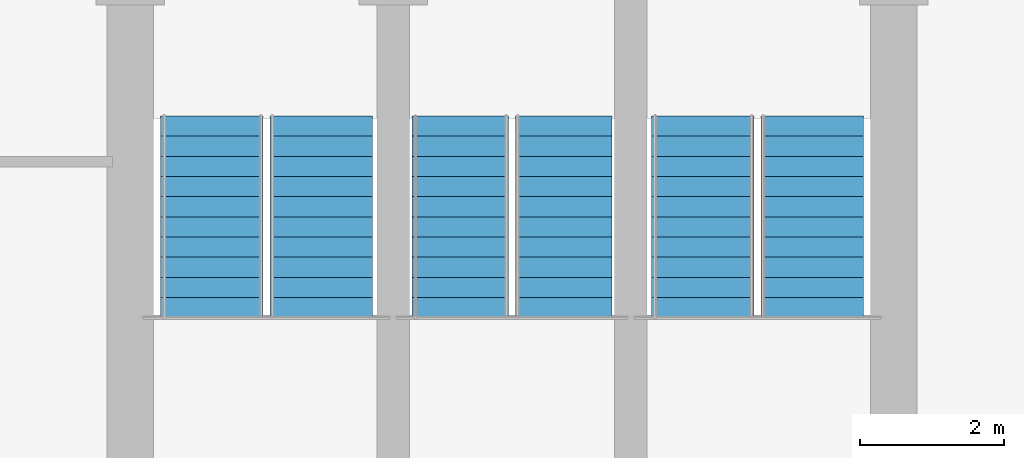
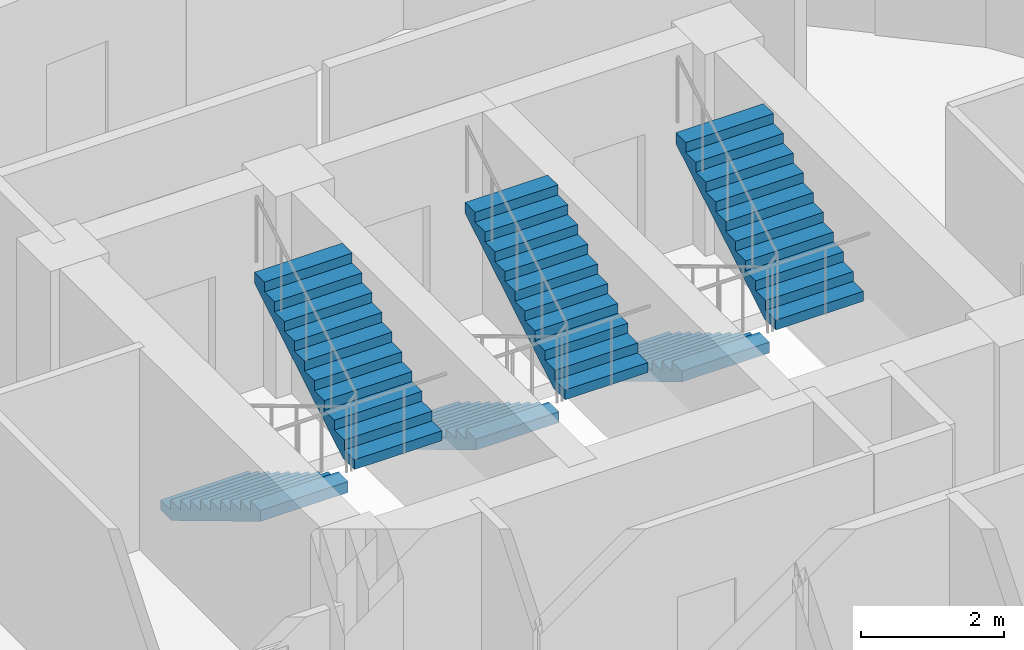
# One storey, part 25 of 27: 6 stair flights, 3 elements without a shape of their own.
"""IFC4 building model written with IfcOpenShell, lengths in metres."""

from ifc_helpers import new_model, si_unit, direction, frame, origin, place, context, subcontext, project, spatial, polyline, outline, extrude, material, type_object, element, aggregate, save


model = new_model("IFC4")

# Units and contexts
model_context = context("Model", 3, precision=1e-05, world=origin(), true_north=direction((0.0, 1.0)))
body_context = subcontext(model_context, "Body", "Model", "MODEL_VIEW")
ifc_project = project(units=[si_unit("LENGTHUNIT", "METRE"), si_unit("AREAUNIT", "SQUARE_METRE"), si_unit("VOLUMEUNIT", "CUBIC_METRE"), si_unit("PLANEANGLEUNIT", "RADIAN"), si_unit("MASSUNIT", "GRAM", prefix="KILO")], contexts=[model_context])

# Site, building, storey
site_placement = place(None, origin())
site = spatial("IfcSite", under=ifc_project, at=site_placement, CompositionType="ELEMENT")
building_placement = place(site_placement, origin())
building = spatial("IfcBuilding", under=site, at=building_placement, Name="Nuhasar Tower", CompositionType="ELEMENT")
storey_placement = place(building_placement, frame((0.0, 0.0, 158.949951171875)))
storey = spatial("IfcBuildingStorey", under=building, at=storey_placement, Name="L38", CompositionType="ELEMENT", Elevation=158.949951171875)

# Stair, stair flights
ifc_material = material(Name="Concrete C45/55", Category="concrete")
stair_type_1 = type_object("IfcStairType", Name="STR-ST-01-2F-22R-1682", PredefinedType="HALF_TURN_STAIR", material=ifc_material)
stair_1_placement = place(storey_placement, origin())
stair_1 = element("IfcStair", 1, at=stair_1_placement, inside=storey, type_object=stair_type_1, Name="L38 Exit Stair ST-01", PredefinedType="HALF_TURN_STAIR")
stair_flight_type_1 = type_object("IfcStairFlightType", Name="SFL-ST-01-11R-1682", PredefinedType="STRAIGHT", material=ifc_material)
stair_flight_1_placement = place(storey_placement, frame((34.830078125, 35.284912109375, 0.0), z_axis=(0.0, 0.0, 1.0), x_axis=(0.0, -1.0, 0.0)))
stair_flight_1 = element("IfcStairFlight", 2, at=stair_flight_1_placement, type_object=stair_flight_type_1, Name="ST-01 flight 1", NumberOfRisers=11, NumberOfTreads=10, PredefinedType="STRAIGHT", RiserHeight=0.168182, TreadLength=0.28, context=body_context, shape_type="SweptSolid", body=[
    extrude(outline(polyline([(0.0, 0.0), (0.0, 0.168212890625), (0.280029296875, 0.168212890625), (0.280029296875, 0.33642578125), (0.56005859375, 0.33642578125), (0.56005859375, 0.504638671875), (0.840087890625, 0.504638671875), (0.840087890625, 0.672607421875), (1.1201171875, 0.672607421875), (1.1201171875, 0.8408203125), (1.39990234375, 0.8408203125), (1.39990234375, 1.009033203125), (1.679931640625, 1.009033203125), (1.679931640625, 1.17724609375), (1.9599609375, 1.17724609375), (1.9599609375, 1.345458984375), (2.239990234375, 1.345458984375), (2.239990234375, 1.513671875), (2.52001953125, 1.513671875), (2.52001953125, 1.681884765625), (2.800048828125, 1.681884765625), (2.800048828125, 1.85009765625), (2.800048828125, 1.495361328125), (0.310546875, 0.0), (0.0, 0.0)])), frame((0.0, 0.7099609375, 0.0), z_axis=(0.0, -1.0, 0.0), x_axis=(1.0, 0.0, 0.0)), (0.0, 0.0, 1.0), 1.419921875),
])
stair_flight_2_placement = place(storey_placement, frame((36.35009765625, 32.485107421875, 1.85009765625), z_axis=(0.0, 0.0, 1.0), x_axis=(0.0, 1.0, 0.0)))
stair_flight_2 = element("IfcStairFlight", 3, at=stair_flight_2_placement, type_object=stair_flight_type_1, Name="ST-01 flight 2", NumberOfRisers=11, NumberOfTreads=10, PredefinedType="STRAIGHT", RiserHeight=0.168182, TreadLength=0.28, context=body_context, shape_type="SweptSolid", body=[
    extrude(outline(polyline([(0.0, 0.0), (0.0, 0.168212890625), (0.280029296875, 0.168212890625), (0.280029296875, 0.33642578125), (0.56005859375, 0.33642578125), (0.56005859375, 0.504638671875), (0.840087890625, 0.504638671875), (0.840087890625, 0.672607421875), (1.1201171875, 0.672607421875), (1.1201171875, 0.8408203125), (1.39990234375, 0.8408203125), (1.39990234375, 1.009033203125), (1.679931640625, 1.009033203125), (1.679931640625, 1.17724609375), (1.9599609375, 1.17724609375), (1.9599609375, 1.345458984375), (2.239990234375, 1.345458984375), (2.239990234375, 1.513671875), (2.52001953125, 1.513671875), (2.52001953125, 1.681884765625), (2.800048828125, 1.681884765625), (2.800048828125, 1.85009765625), (2.800048828125, 1.495361328125), (0.310546875, 0.0), (0.0, 0.0)])), frame((0.0, 0.7099609375, 0.0), z_axis=(0.0, -1.0, 0.0), x_axis=(1.0, 0.0, 0.0)), (0.0, 0.0, 1.0), 1.419921875),
])
aggregate(stair_1, [stair_flight_1, stair_flight_2])

stair_type_2 = type_object("IfcStairType", Name="STR-ST-02-2F-22R-1682", PredefinedType="HALF_TURN_STAIR", material=ifc_material)
stair_2_placement = place(storey_placement, origin())
stair_2 = element("IfcStair", 4, at=stair_2_placement, inside=storey, type_object=stair_type_2, Name="L38 Exit Stair ST-02", PredefinedType="HALF_TURN_STAIR")
stair_flight_type_2 = type_object("IfcStairFlightType", Name="SFL-ST-02-11R-1682", PredefinedType="STRAIGHT", material=ifc_material)
stair_flight_3_placement = place(storey_placement, frame((41.64990234375, 35.284912109375, 0.0), z_axis=(0.0, 0.0, 1.0), x_axis=(0.0, -1.0, 0.0)))
stair_flight_3 = element("IfcStairFlight", 5, at=stair_flight_3_placement, type_object=stair_flight_type_2, Name="ST-02 flight 1", NumberOfRisers=11, NumberOfTreads=10, PredefinedType="STRAIGHT", RiserHeight=0.168182, TreadLength=0.28, context=body_context, shape_type="SweptSolid", body=[
    extrude(outline(polyline([(0.0, 0.0), (0.0, 0.168212890625), (0.280029296875, 0.168212890625), (0.280029296875, 0.33642578125), (0.56005859375, 0.33642578125), (0.56005859375, 0.504638671875), (0.840087890625, 0.504638671875), (0.840087890625, 0.672607421875), (1.1201171875, 0.672607421875), (1.1201171875, 0.8408203125), (1.39990234375, 0.8408203125), (1.39990234375, 1.009033203125), (1.679931640625, 1.009033203125), (1.679931640625, 1.17724609375), (1.9599609375, 1.17724609375), (1.9599609375, 1.345458984375), (2.239990234375, 1.345458984375), (2.239990234375, 1.513671875), (2.52001953125, 1.513671875), (2.52001953125, 1.681884765625), (2.800048828125, 1.681884765625), (2.800048828125, 1.85009765625), (2.800048828125, 1.495361328125), (0.310546875, 0.0), (0.0, 0.0)])), frame((0.0, 0.7099609375, 0.0), z_axis=(0.0, -1.0, 0.0), x_axis=(1.0, 0.0, 0.0)), (0.0, 0.0, 1.0), 1.419921875),
])
stair_flight_4_placement = place(storey_placement, frame((43.169921875, 32.485107421875, 1.85009765625), z_axis=(0.0, 0.0, 1.0), x_axis=(0.0, 1.0, 0.0)))
stair_flight_4 = element("IfcStairFlight", 6, at=stair_flight_4_placement, type_object=stair_flight_type_2, Name="ST-02 flight 2", NumberOfRisers=11, NumberOfTreads=10, PredefinedType="STRAIGHT", RiserHeight=0.168182, TreadLength=0.28, context=body_context, shape_type="SweptSolid", body=[
    extrude(outline(polyline([(0.0, 0.0), (0.0, 0.168212890625), (0.280029296875, 0.168212890625), (0.280029296875, 0.33642578125), (0.56005859375, 0.33642578125), (0.56005859375, 0.504638671875), (0.840087890625, 0.504638671875), (0.840087890625, 0.672607421875), (1.1201171875, 0.672607421875), (1.1201171875, 0.8408203125), (1.39990234375, 0.8408203125), (1.39990234375, 1.009033203125), (1.679931640625, 1.009033203125), (1.679931640625, 1.17724609375), (1.9599609375, 1.17724609375), (1.9599609375, 1.345458984375), (2.239990234375, 1.345458984375), (2.239990234375, 1.513671875), (2.52001953125, 1.513671875), (2.52001953125, 1.681884765625), (2.800048828125, 1.681884765625), (2.800048828125, 1.85009765625), (2.800048828125, 1.495361328125), (0.310546875, 0.0), (0.0, 0.0)])), frame((0.0, 0.7099609375, 0.0), z_axis=(0.0, -1.0, 0.0), x_axis=(1.0, 0.0, 0.0)), (0.0, 0.0, 1.0), 1.419921875),
])
aggregate(stair_2, [stair_flight_3, stair_flight_4])

stair_type_3 = type_object("IfcStairType", Name="STR-ST-03-2F-22R-1682", PredefinedType="HALF_TURN_STAIR", material=ifc_material)
stair_3_placement = place(storey_placement, origin())
stair_3 = element("IfcStair", 7, at=stair_3_placement, inside=storey, type_object=stair_type_3, Name="L38 Exit Stair ST-03", PredefinedType="HALF_TURN_STAIR")
stair_flight_type_3 = type_object("IfcStairFlightType", Name="SFL-ST-03-11R-1682", PredefinedType="STRAIGHT", material=ifc_material)
stair_flight_5_placement = place(storey_placement, frame((38.280029296875, 35.284912109375, 0.0), z_axis=(0.0, 0.0, 1.0), x_axis=(0.0, -1.0, 0.0)))
stair_flight_5 = element("IfcStairFlight", 8, at=stair_flight_5_placement, type_object=stair_flight_type_3, Name="ST-03 flight 1", NumberOfRisers=11, NumberOfTreads=10, PredefinedType="STRAIGHT", RiserHeight=0.168182, TreadLength=0.28, context=body_context, shape_type="SweptSolid", body=[
    extrude(outline(polyline([(0.0, 0.0), (0.0, 0.168212890625), (0.280029296875, 0.168212890625), (0.280029296875, 0.33642578125), (0.56005859375, 0.33642578125), (0.56005859375, 0.504638671875), (0.840087890625, 0.504638671875), (0.840087890625, 0.672607421875), (1.1201171875, 0.672607421875), (1.1201171875, 0.8408203125), (1.39990234375, 0.8408203125), (1.39990234375, 1.009033203125), (1.679931640625, 1.009033203125), (1.679931640625, 1.17724609375), (1.9599609375, 1.17724609375), (1.9599609375, 1.345458984375), (2.239990234375, 1.345458984375), (2.239990234375, 1.513671875), (2.52001953125, 1.513671875), (2.52001953125, 1.681884765625), (2.800048828125, 1.681884765625), (2.800048828125, 1.85009765625), (2.800048828125, 1.495361328125), (0.310546875, 0.0), (0.0, 0.0)])), frame((0.0, 0.669921875, 0.0), z_axis=(0.0, -1.0, 0.0), x_axis=(1.0, 0.0, 0.0)), (0.0, 0.0, 1.0), 1.340087890625),
])
stair_flight_6_placement = place(storey_placement, frame((39.719970703125, 32.485107421875, 1.85009765625), z_axis=(0.0, 0.0, 1.0), x_axis=(0.0, 1.0, 0.0)))
stair_flight_6 = element("IfcStairFlight", 9, at=stair_flight_6_placement, type_object=stair_flight_type_3, Name="ST-03 flight 2", NumberOfRisers=11, NumberOfTreads=10, PredefinedType="STRAIGHT", RiserHeight=0.168182, TreadLength=0.28, context=body_context, shape_type="SweptSolid", body=[
    extrude(outline(polyline([(0.0, 0.0), (0.0, 0.168212890625), (0.280029296875, 0.168212890625), (0.280029296875, 0.33642578125), (0.56005859375, 0.33642578125), (0.56005859375, 0.504638671875), (0.840087890625, 0.504638671875), (0.840087890625, 0.672607421875), (1.1201171875, 0.672607421875), (1.1201171875, 0.8408203125), (1.39990234375, 0.8408203125), (1.39990234375, 1.009033203125), (1.679931640625, 1.009033203125), (1.679931640625, 1.17724609375), (1.9599609375, 1.17724609375), (1.9599609375, 1.345458984375), (2.239990234375, 1.345458984375), (2.239990234375, 1.513671875), (2.52001953125, 1.513671875), (2.52001953125, 1.681884765625), (2.800048828125, 1.681884765625), (2.800048828125, 1.85009765625), (2.800048828125, 1.495361328125), (0.310546875, 0.0), (0.0, 0.0)])), frame((0.0, 0.669921875, 0.0), z_axis=(0.0, -1.0, 0.0), x_axis=(1.0, 0.0, 0.0)), (0.0, 0.0, 1.0), 1.340087890625),
])
aggregate(stair_3, [stair_flight_5, stair_flight_6])

save(model, "model.ifc")
